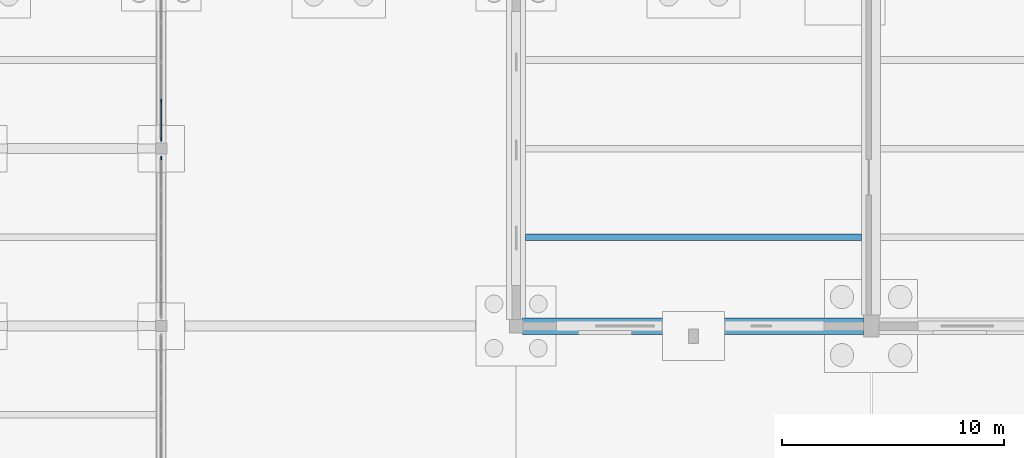
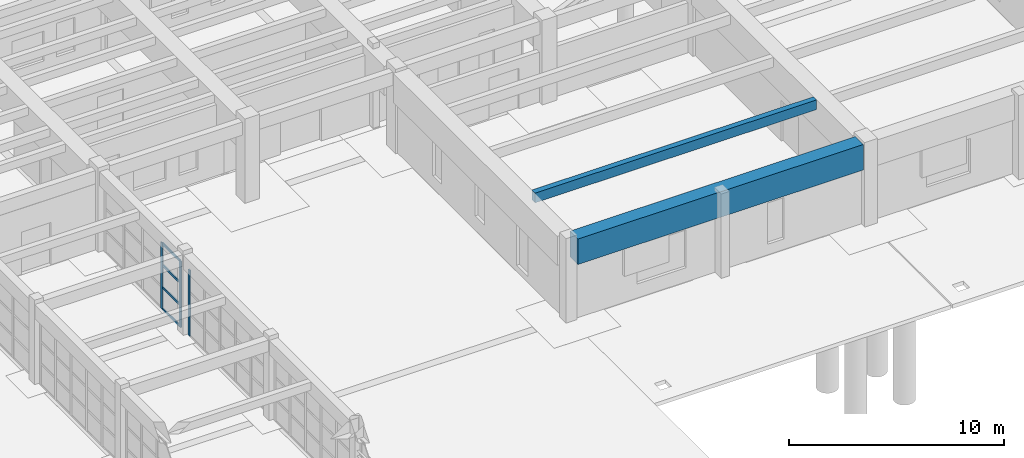
# One storey, part 32 of 68: 7 members, 2 beams, 2 elements without a shape of their own.
"""IFC4 building model written with IfcOpenShell, lengths in metres."""

from ifc_helpers import new_model, si_unit, direction, frame, origin, origin_2d, place, context, subcontext, project, spatial, rectangle, extrude, material, material_profile, profile_set, type_object, element, aggregate, save


model = new_model("IFC4")

# Units and contexts
model_context = context("Model", 3, precision=1e-05, world=origin(), true_north=direction((0.0, 1.0)))
body_context = subcontext(model_context, "Body", "Model", "MODEL_VIEW")
ifc_project = project(units=[si_unit("LENGTHUNIT", "METRE"), si_unit("AREAUNIT", "SQUARE_METRE"), si_unit("VOLUMEUNIT", "CUBIC_METRE"), si_unit("PLANEANGLEUNIT", "RADIAN"), si_unit("MASSUNIT", "GRAM", prefix="KILO")], contexts=[model_context])

# Site, building, storey
site_placement = place(None, origin())
site = spatial("IfcSite", under=ifc_project, at=site_placement, CompositionType="ELEMENT")
building_placement = place(site_placement, origin())
building = spatial("IfcBuilding", under=site, at=building_placement, Name="Serraluz Foothill Cableway Terminal", CompositionType="ELEMENT")
storey_placement = place(building_placement, origin())
storey = spatial("IfcBuildingStorey", under=building, at=storey_placement, Name="L00", CompositionType="ELEMENT", Elevation=0.0)

# Beam
ifc_material_1 = material(Name="Concrete C35/45 (f'c 35 MPa)", Category="concrete")
ifc_material_profile_1 = material_profile(ifc_material_1, rectangle(XDim=0.75, YDim=1.449951171875, at=origin_2d()), Name="RC TG 750x1450")
ifc_profile_set_1 = profile_set([ifc_material_profile_1], Name="Concrete C35/45 (f'c 35 MPa)")
beam_type_1 = type_object("IfcBeamType", Name="TYP-BM-RCTG1450", PredefinedType="BEAM", material=ifc_profile_set_1)
beam_1_placement = place(storey_placement, frame((144.2958984375, 40.0, 3.89501953125), z_axis=(1.0, 0.0, 0.0), x_axis=(0.0, 1.0, 0.0)))
element("IfcBeam", 1, at=beam_1_placement, inside=storey, type_object=beam_type_1, Name="Primary Girder BM-X-L00-0053", PredefinedType="BEAM", context=body_context, shape_type="SweptSolid", body=[
    extrude(rectangle(XDim=0.75, YDim=1.449951171875, at=origin_2d()), origin(), (0.0, 0.0, 1.0), 15.358154296875),
])

# Curtain wall, member
ifc_material_2 = material(Name="Architectural bronze alloy C28000", Category="aluminium")
curtain_wall_type = type_object("IfcCurtainWallType", Name="TYP-CW-710X420", PredefinedType="NOTDEFINED", material=ifc_material_2)
curtain_wall_1_placement = place(storey_placement, origin())
curtain_wall_1 = element("IfcCurtainWall", 2, at=curtain_wall_1_placement, inside=storey, type_object=curtain_wall_type, Name="Ribbed Glazed Curtain Wall CW-CLE-L00-40", PredefinedType="NOTDEFINED")
ifc_material_profile_2 = material_profile(ifc_material_2, rectangle(XDim=0.06005859375, YDim=0.159912109375, at=origin_2d()), Name="ALU MULLION 60x160")
ifc_profile_set_2 = profile_set([ifc_material_profile_2], Name="Architectural bronze alloy C28000")
member_type_1 = type_object("IfcMemberType", Name="TYP-CW-MUL-60X160", PredefinedType="MULLION", material=ifc_profile_set_2)
member_1_placement = place(storey_placement, frame((128.0, 47.580078125, 0.0), z_axis=(0.0, 0.0, 1.0), x_axis=(1.0, 0.0, 0.0)))
member_1 = element("IfcMember", 3, at=member_1_placement, type_object=member_type_1, Name="CW-01 mullion 1", PredefinedType="MULLION", context=body_context, shape_type="SweptSolid", body=[
    extrude(rectangle(XDim=0.06005859375, YDim=0.159912109375, at=origin_2d()), origin(), (0.0, 0.0, 1.0), 3.760009765625),
])
aggregate(curtain_wall_1, [member_1])

# Curtain wall, members
curtain_wall_2_placement = place(storey_placement, origin())
curtain_wall_2 = element("IfcCurtainWall", 4, at=curtain_wall_2_placement, inside=storey, type_object=curtain_wall_type, Name="Ribbed Glazed Curtain Wall CW-CLE-L00-48", PredefinedType="NOTDEFINED")
member_2_placement = place(storey_placement, frame((128.0, 50.1513671875, 0.0), z_axis=(0.0, 0.0, 1.0), x_axis=(1.0, 0.0, 0.0)))
member_2 = element("IfcMember", 5, at=member_2_placement, type_object=member_type_1, Name="CW-01 mullion 4", PredefinedType="MULLION", context=body_context, shape_type="SweptSolid", body=[
    extrude(rectangle(XDim=0.06005859375, YDim=0.159912109375, at=origin_2d()), origin(), (0.0, 0.0, 1.0), 3.760009765625),
])
member_3_placement = place(storey_placement, frame((128.0, 48.419921875, 0.0), z_axis=(0.0, 0.0, 1.0), x_axis=(1.0, 0.0, 0.0)))
member_3 = element("IfcMember", 6, at=member_3_placement, type_object=member_type_1, Name="CW-01 mullion 5", PredefinedType="MULLION", context=body_context, shape_type="SweptSolid", body=[
    extrude(rectangle(XDim=0.06005859375, YDim=0.159912109375, at=origin_2d()), origin(), (0.0, 0.0, 1.0), 3.760009765625),
])
ifc_material_profile_3 = material_profile(ifc_material_2, rectangle(XDim=0.06005859375, YDim=0.1201171875, at=origin_2d()), Name="ALU TRANSOM 60x120")
ifc_profile_set_3 = profile_set([ifc_material_profile_3], Name="Architectural bronze alloy C28000")
member_type_2 = type_object("IfcMemberType", Name="TYP-CW-TRN-60X120", PredefinedType="USERDEFINED", material=ifc_profile_set_3)
member_4_placement = place(storey_placement, frame((128.0, 50.121337890625, 0.030029296875), z_axis=(0.0, -1.0, 0.0), x_axis=(1.0, 0.0, 0.0)))
member_4 = element("IfcMember", 7, at=member_4_placement, type_object=member_type_2, Name="CW-01 transom 4.1", ObjectType="TRANSOM", PredefinedType="USERDEFINED", context=body_context, shape_type="SweptSolid", body=[
    extrude(rectangle(XDim=0.06005859375, YDim=0.1201171875, at=origin_2d()), origin(), (0.0, 0.0, 1.0), 1.67138671875),
])
member_5_placement = place(storey_placement, frame((128.0, 50.121337890625, 1.25341796875), z_axis=(0.0, -1.0, 0.0), x_axis=(1.0, 0.0, 0.0)))
member_5 = element("IfcMember", 8, at=member_5_placement, type_object=member_type_2, Name="CW-01 transom 4.2", ObjectType="TRANSOM", PredefinedType="USERDEFINED", context=body_context, shape_type="SweptSolid", body=[
    extrude(rectangle(XDim=0.06005859375, YDim=0.1201171875, at=origin_2d()), origin(), (0.0, 0.0, 1.0), 1.67138671875),
])
member_6_placement = place(storey_placement, frame((128.0, 50.121337890625, 2.506591796875), z_axis=(0.0, -1.0, 0.0), x_axis=(1.0, 0.0, 0.0)))
member_6 = element("IfcMember", 9, at=member_6_placement, type_object=member_type_2, Name="CW-01 transom 4.3", ObjectType="TRANSOM", PredefinedType="USERDEFINED", context=body_context, shape_type="SweptSolid", body=[
    extrude(rectangle(XDim=0.06005859375, YDim=0.1201171875, at=origin_2d()), origin(), (0.0, 0.0, 1.0), 1.67138671875),
])
member_7_placement = place(storey_placement, frame((128.0, 50.121337890625, 3.72998046875), z_axis=(0.0, -1.0, 0.0), x_axis=(1.0, 0.0, 0.0)))
member_7 = element("IfcMember", 10, at=member_7_placement, type_object=member_type_2, Name="CW-01 transom 4.4", ObjectType="TRANSOM", PredefinedType="USERDEFINED", context=body_context, shape_type="SweptSolid", body=[
    extrude(rectangle(XDim=0.06005859375, YDim=0.1201171875, at=origin_2d()), origin(), (0.0, 0.0, 1.0), 1.67138671875),
])
aggregate(curtain_wall_2, [member_2, member_3, member_4, member_5, member_6, member_7])

# Beam
ifc_material_3 = material(Name="Concrete C28/35 (f'c 28 MPa)", Category="concrete")
ifc_material_profile_4 = material_profile(ifc_material_3, rectangle(XDim=0.300048828125, YDim=0.550048828125, at=origin_2d()), Name="RC 300x550")
ifc_profile_set_4 = profile_set([ifc_material_profile_4], Name="Concrete C28/35 (f'c 28 MPa)")
beam_type_2 = type_object("IfcBeamType", Name="TYP-JS-RC300X550", PredefinedType="JOIST", material=ifc_profile_set_4)
beam_2_placement = place(storey_placement, frame((144.429931640625, 44.0, 4.344970703125), z_axis=(1.0, 0.0, 0.0), x_axis=(0.0, 1.0, 0.0)))
element("IfcBeam", 11, at=beam_2_placement, inside=storey, type_object=beam_type_2, Name="Secondary Floor Joist JS-L00-0066", PredefinedType="JOIST", context=body_context, shape_type="SweptSolid", body=[
    extrude(rectangle(XDim=0.300048828125, YDim=0.550048828125, at=origin_2d()), origin(), (0.0, 0.0, 1.0), 15.14013671875),
])

save(model, "model.ifc")
